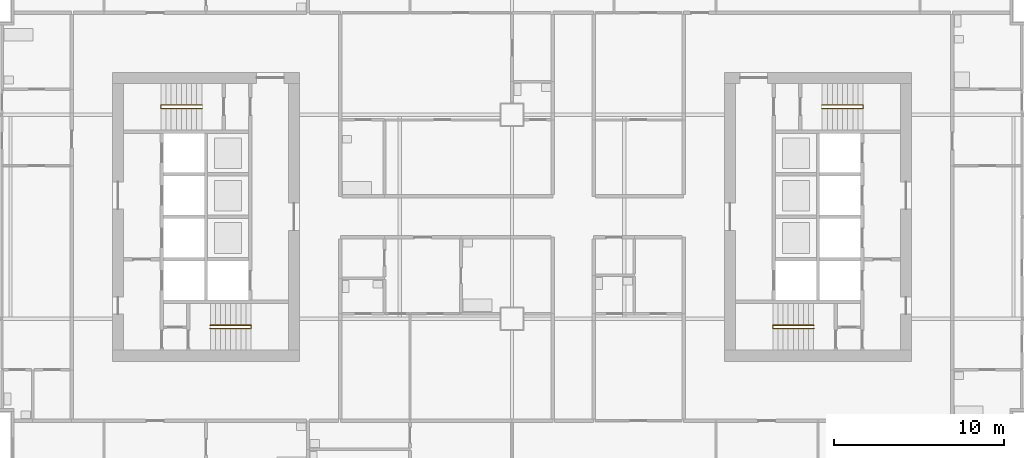
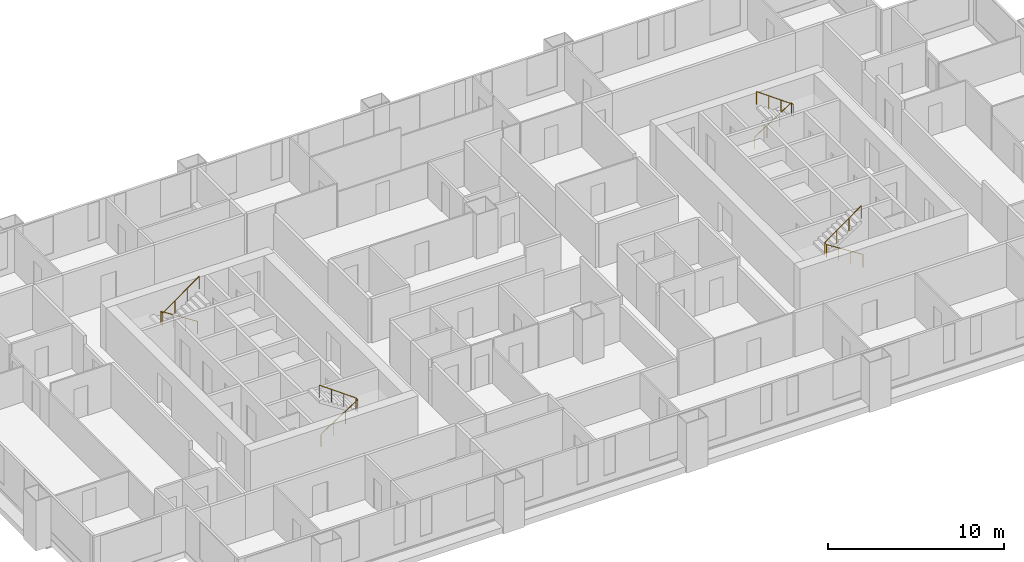
# One storey, part 11 of 13: 4 railings.
"""IFC4 building model written with IfcOpenShell, lengths in metres."""

from ifc_helpers import new_model, si_unit, direction, frame, origin, origin_2d, place, context, subcontext, project, spatial, circle, extrude, material, type_object, element, save


model = new_model("IFC4")

# Units and contexts
model_context = context("Model", 3, precision=1e-05, world=origin(), true_north=direction((0.0, 1.0)))
body_context = subcontext(model_context, "Body", "Model", "MODEL_VIEW")
ifc_project = project(units=[si_unit("LENGTHUNIT", "METRE"), si_unit("AREAUNIT", "SQUARE_METRE"), si_unit("VOLUMEUNIT", "CUBIC_METRE"), si_unit("PLANEANGLEUNIT", "RADIAN"), si_unit("MASSUNIT", "GRAM", prefix="KILO")], contexts=[model_context])

# Site, building, storey
site_placement = place(None, origin())
site = spatial("IfcSite", under=ifc_project, at=site_placement, CompositionType="ELEMENT")
building_placement = place(site_placement, origin())
building = spatial("IfcBuilding", under=site, at=building_placement, Name="Kitamizu Gate Tower and Museum", CompositionType="ELEMENT")
storey_placement = place(building_placement, frame((0.0, 0.0, 144.89990234375)))
storey = spatial("IfcBuildingStorey", under=building, at=storey_placement, Name="L38", CompositionType="ELEMENT", Elevation=144.89990234375)

# Railings
ifc_material = material(Name="Stainless steel SUS304", Category="steel")
railing_type = type_object("IfcRailingType", Name="Stair handrail 900", PredefinedType="HANDRAIL", material=ifc_material)
railing_1_placement = place(storey_placement, frame((18.25, 23.425048828125, 0.191650390625)))
element("IfcRailing", 1, at=railing_1_placement, inside=storey, type_object=railing_type, Name="Stair handrail ST1", PredefinedType="HANDRAIL", context=body_context, shape_type="SweptSolid", body=[
    extrude(circle(Radius=0.02392578125, at=origin_2d()), frame((0.0, 0.0, 0.8759765625), z_axis=(0.842668169335, 0.0, 0.538433242278), x_axis=(0.0, 1.0, 0.0)), (0.0, 0.0, 1.0), 2.847900390625),
    extrude(circle(Radius=0.02392578125, at=origin_2d()), frame((2.39990234375, 0.0, 2.4091796875), z_axis=(0.0, 1.0, 0.0), x_axis=(-1.0, 0.0, 0.0)), (0.0, 0.0, 1.0), 0.199951171875),
    extrude(circle(Radius=0.02392578125, at=origin_2d()), frame((2.39990234375, 0.199951171875, 2.4091796875), z_axis=(-0.811988456656, 0.0, 0.583673492852), x_axis=(0.0, -1.0, 0.0)), (0.0, 0.0, 1.0), 2.95556640625),
    extrude(circle(Radius=0.02099609375, at=origin_2d()), origin(), (0.0, 0.0, 1.0), 0.851806640625),
    extrude(circle(Radius=0.02099609375, at=origin_2d()), frame((0.800048828125, 0.0, 0.51123046875)), (0.0, 0.0, 1.0), 0.851806640625),
    extrude(circle(Radius=0.02099609375, at=origin_2d()), frame((1.599853515625, 0.0, 1.022216796875)), (0.0, 0.0, 1.0), 0.851806640625),
    extrude(circle(Radius=0.02099609375, at=origin_2d()), frame((2.39990234375, 0.0, 1.533447265625)), (0.0, 0.0, 1.0), 0.851806640625),
    extrude(circle(Radius=0.02099609375, at=origin_2d()), frame((2.39990234375, 0.199951171875, 1.533447265625)), (0.0, 0.0, 1.0), 0.851806640625),
    extrude(circle(Radius=0.02099609375, at=origin_2d()), frame((1.599853515625, 0.199951171875, 2.1083984375)), (0.0, 0.0, 1.0), 0.851806640625),
    extrude(circle(Radius=0.02099609375, at=origin_2d()), frame((0.800048828125, 0.199951171875, 2.68359375)), (0.0, 0.0, 1.0), 0.851806640625),
    extrude(circle(Radius=0.02099609375, at=origin_2d()), frame((0.0, 0.199951171875, 3.258544921875)), (0.0, 0.0, 1.0), 0.851806640625),
])
railing_2_placement = place(storey_placement, frame((17.75, 36.574951171875, 0.191650390625)))
element("IfcRailing", 2, at=railing_2_placement, inside=storey, type_object=railing_type, Name="Stair handrail ST2", PredefinedType="HANDRAIL", context=body_context, shape_type="SweptSolid", body=[
    extrude(circle(Radius=0.02392578125, at=origin_2d()), frame((0.0, 0.0, 0.8759765625), z_axis=(-0.842668169335, 0.0, 0.538433242278), x_axis=(0.0, -1.0, 0.0)), (0.0, 0.0, 1.0), 2.847900390625),
    extrude(circle(Radius=0.02392578125, at=origin_2d()), frame((-2.39990234375, 0.0, 2.4091796875), z_axis=(0.0, -1.0, 0.0), x_axis=(1.0, 0.0, 0.0)), (0.0, 0.0, 1.0), 0.199951171875),
    extrude(circle(Radius=0.02392578125, at=origin_2d()), frame((-2.39990234375, -0.199951171875, 2.4091796875), z_axis=(0.811988456656, 0.0, 0.583673492852), x_axis=(0.0, 1.0, 0.0)), (0.0, 0.0, 1.0), 2.95556640625),
    extrude(circle(Radius=0.02099609375, at=origin_2d()), origin(), (0.0, 0.0, 1.0), 0.851806640625),
    extrude(circle(Radius=0.02099609375, at=origin_2d()), frame((-0.800048828125, 0.0, 0.51123046875)), (0.0, 0.0, 1.0), 0.851806640625),
    extrude(circle(Radius=0.02099609375, at=origin_2d()), frame((-1.599853515625, 0.0, 1.022216796875)), (0.0, 0.0, 1.0), 0.851806640625),
    extrude(circle(Radius=0.02099609375, at=origin_2d()), frame((-2.39990234375, 0.0, 1.533447265625)), (0.0, 0.0, 1.0), 0.851806640625),
    extrude(circle(Radius=0.02099609375, at=origin_2d()), frame((-2.39990234375, -0.199951171875, 1.533447265625)), (0.0, 0.0, 1.0), 0.851806640625),
    extrude(circle(Radius=0.02099609375, at=origin_2d()), frame((-1.599853515625, -0.199951171875, 2.1083984375)), (0.0, 0.0, 1.0), 0.851806640625),
    extrude(circle(Radius=0.02099609375, at=origin_2d()), frame((-0.800048828125, -0.199951171875, 2.68359375)), (0.0, 0.0, 1.0), 0.851806640625),
    extrude(circle(Radius=0.02099609375, at=origin_2d()), frame((0.0, -0.199951171875, 3.258544921875)), (0.0, 0.0, 1.0), 0.851806640625),
])
railing_3_placement = place(storey_placement, frame((53.75, 23.425048828125, 0.191650390625)))
element("IfcRailing", 3, at=railing_3_placement, inside=storey, type_object=railing_type, Name="Stair handrail ST3", PredefinedType="HANDRAIL", context=body_context, shape_type="SweptSolid", body=[
    extrude(circle(Radius=0.02392578125, at=origin_2d()), frame((0.0, 0.0, 0.8759765625), z_axis=(-0.842668169335, 0.0, 0.538433242278), x_axis=(0.0, -1.0, 0.0)), (0.0, 0.0, 1.0), 2.847900390625),
    extrude(circle(Radius=0.02392578125, at=origin_2d()), frame((-2.39990234375, 0.0, 2.4091796875), z_axis=(0.0, 1.0, 0.0), x_axis=(-1.0, 0.0, 0.0)), (0.0, 0.0, 1.0), 0.199951171875),
    extrude(circle(Radius=0.02392578125, at=origin_2d()), frame((-2.39990234375, 0.199951171875, 2.4091796875), z_axis=(0.811988456656, 0.0, 0.583673492852), x_axis=(0.0, 1.0, 0.0)), (0.0, 0.0, 1.0), 2.95556640625),
    extrude(circle(Radius=0.02099609375, at=origin_2d()), origin(), (0.0, 0.0, 1.0), 0.851806640625),
    extrude(circle(Radius=0.02099609375, at=origin_2d()), frame((-0.800048828125, 0.0, 0.51123046875)), (0.0, 0.0, 1.0), 0.851806640625),
    extrude(circle(Radius=0.02099609375, at=origin_2d()), frame((-1.599853515625, 0.0, 1.022216796875)), (0.0, 0.0, 1.0), 0.851806640625),
    extrude(circle(Radius=0.02099609375, at=origin_2d()), frame((-2.39990234375, 0.0, 1.533447265625)), (0.0, 0.0, 1.0), 0.851806640625),
    extrude(circle(Radius=0.02099609375, at=origin_2d()), frame((-2.39990234375, 0.199951171875, 1.533447265625)), (0.0, 0.0, 1.0), 0.851806640625),
    extrude(circle(Radius=0.02099609375, at=origin_2d()), frame((-1.599853515625, 0.199951171875, 2.1083984375)), (0.0, 0.0, 1.0), 0.851806640625),
    extrude(circle(Radius=0.02099609375, at=origin_2d()), frame((-0.800048828125, 0.199951171875, 2.68359375)), (0.0, 0.0, 1.0), 0.851806640625),
    extrude(circle(Radius=0.02099609375, at=origin_2d()), frame((0.0, 0.199951171875, 3.258544921875)), (0.0, 0.0, 1.0), 0.851806640625),
])
railing_4_placement = place(storey_placement, frame((54.25, 36.574951171875, 0.191650390625)))
element("IfcRailing", 4, at=railing_4_placement, inside=storey, type_object=railing_type, Name="Stair handrail ST4", PredefinedType="HANDRAIL", context=body_context, shape_type="SweptSolid", body=[
    extrude(circle(Radius=0.02392578125, at=origin_2d()), frame((0.0, 0.0, 0.8759765625), z_axis=(0.842668169335, 0.0, 0.538433242278), x_axis=(0.0, 1.0, 0.0)), (0.0, 0.0, 1.0), 2.847900390625),
    extrude(circle(Radius=0.02392578125, at=origin_2d()), frame((2.39990234375, 0.0, 2.4091796875), z_axis=(0.0, -1.0, 0.0), x_axis=(1.0, 0.0, 0.0)), (0.0, 0.0, 1.0), 0.199951171875),
    extrude(circle(Radius=0.02392578125, at=origin_2d()), frame((2.39990234375, -0.199951171875, 2.4091796875), z_axis=(-0.811988456656, 0.0, 0.583673492852), x_axis=(0.0, -1.0, 0.0)), (0.0, 0.0, 1.0), 2.95556640625),
    extrude(circle(Radius=0.02099609375, at=origin_2d()), origin(), (0.0, 0.0, 1.0), 0.851806640625),
    extrude(circle(Radius=0.02099609375, at=origin_2d()), frame((0.800048828125, 0.0, 0.51123046875)), (0.0, 0.0, 1.0), 0.851806640625),
    extrude(circle(Radius=0.02099609375, at=origin_2d()), frame((1.599853515625, 0.0, 1.022216796875)), (0.0, 0.0, 1.0), 0.851806640625),
    extrude(circle(Radius=0.02099609375, at=origin_2d()), frame((2.39990234375, 0.0, 1.533447265625)), (0.0, 0.0, 1.0), 0.851806640625),
    extrude(circle(Radius=0.02099609375, at=origin_2d()), frame((2.39990234375, -0.199951171875, 1.533447265625)), (0.0, 0.0, 1.0), 0.851806640625),
    extrude(circle(Radius=0.02099609375, at=origin_2d()), frame((1.599853515625, -0.199951171875, 2.1083984375)), (0.0, 0.0, 1.0), 0.851806640625),
    extrude(circle(Radius=0.02099609375, at=origin_2d()), frame((0.800048828125, -0.199951171875, 2.68359375)), (0.0, 0.0, 1.0), 0.851806640625),
    extrude(circle(Radius=0.02099609375, at=origin_2d()), frame((0.0, -0.199951171875, 3.258544921875)), (0.0, 0.0, 1.0), 0.851806640625),
])

save(model, "model.ifc")
